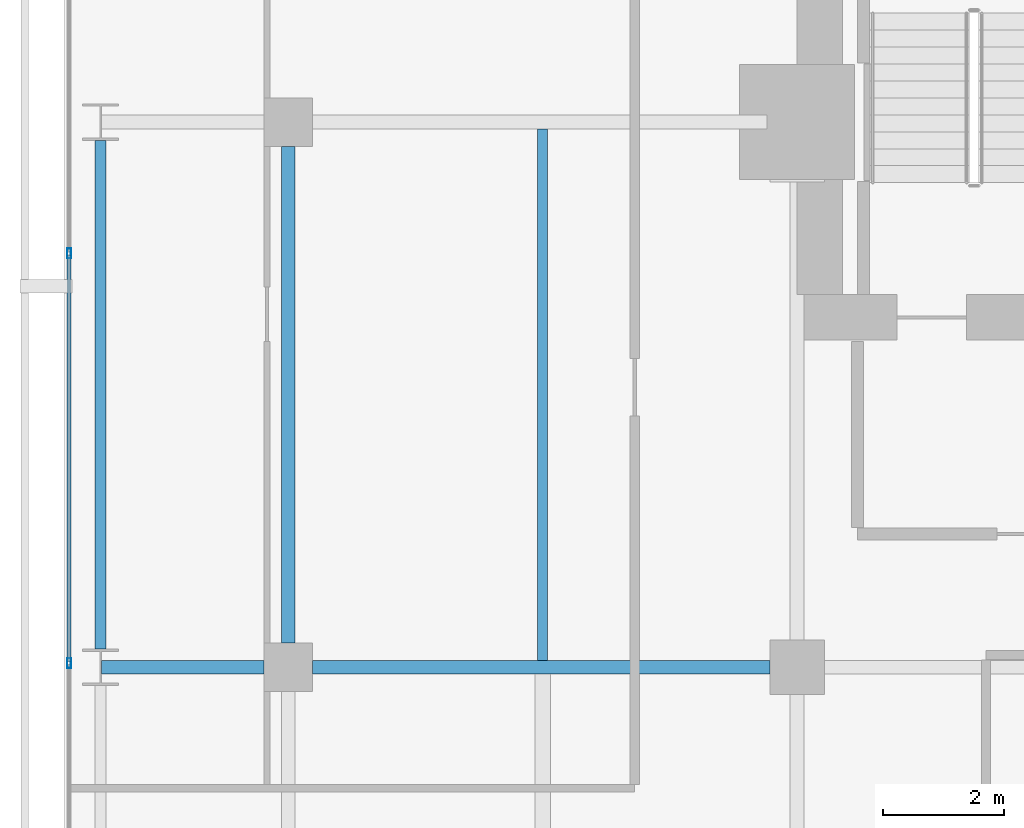
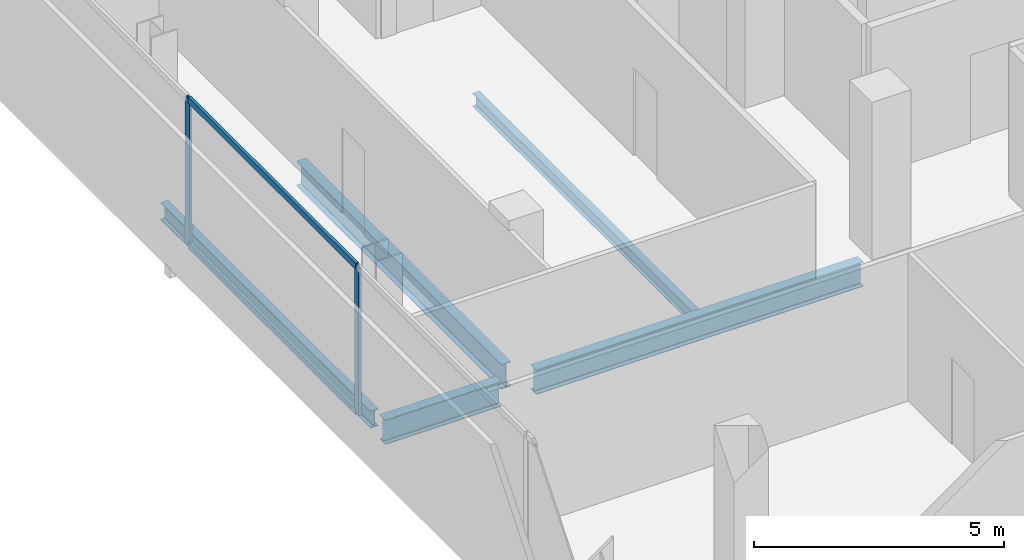
# One storey, part 18 of 32: 5 beams, 4 members, 1 element without a shape of its own.
"""IFC4 building model written with IfcOpenShell, lengths in metres."""

from ifc_helpers import new_model, si_unit, direction, frame, origin, origin_2d, place, context, subcontext, project, spatial, hollow_rectangle, i_section, extrude, material, layer, layer_set, material_profile, profile_set, type_object, element, aggregate, save


model = new_model("IFC4")

# Units and contexts
model_context = context("Model", 3, precision=1e-05, world=origin(), true_north=direction((0.0, 1.0)))
body_context = subcontext(model_context, "Body", "Model", "MODEL_VIEW")
ifc_project = project(units=[si_unit("LENGTHUNIT", "METRE"), si_unit("AREAUNIT", "SQUARE_METRE"), si_unit("VOLUMEUNIT", "CUBIC_METRE"), si_unit("PLANEANGLEUNIT", "RADIAN"), si_unit("MASSUNIT", "GRAM", prefix="KILO")], contexts=[model_context])

# Site, building, storey
site_placement = place(None, origin())
site = spatial("IfcSite", under=ifc_project, at=site_placement, CompositionType="ELEMENT")
building_placement = place(site_placement, origin())
building = spatial("IfcBuilding", under=site, at=building_placement, Name="Maruvema Waterfront Hotel and Observation Tower", CompositionType="ELEMENT")
storey_placement = place(building_placement, frame((0.0, 0.0, 165.89990234375)))
storey = spatial("IfcBuildingStorey", under=building, at=storey_placement, Name="L40", CompositionType="ELEMENT", Elevation=165.89990234375)

# Curtain wall, members
ifc_material_1 = material(Name="Anodised bronze aluminium and solar-control low-E IGU", Category="aluminium")
ifc_layer = layer(ifc_material_1, 0.159912109375, Name="Zone 2 Amber Inner Thermal Curtain Wall System CW-03")
ifc_layer_set = layer_set([ifc_layer], Name="Anodised bronze aluminium and solar-control low-E IGU")
curtain_wall_type = type_object("IfcCurtainWallType", Name="Zone 2 Amber Inner Thermal Curtain Wall System CW-03", PredefinedType="USERDEFINED", material=ifc_layer_set)
curtain_wall_placement = place(storey_placement, origin())
curtain_wall = element("IfcCurtainWall", 1, at=curtain_wall_placement, inside=storey, type_object=curtain_wall_type, Name="L40 Curtain Wall CW-L40-W", ObjectType="UNITISED CURTAIN WALL", PredefinedType="USERDEFINED")
ifc_material_2 = material(Name="Anodised architectural bronze aluminium", Category="aluminium")
ifc_material_profile_1 = material_profile(ifc_material_2, hollow_rectangle(XDim=0.070068359375, YDim=0.14990234375, WallThickness=0.00390625, at=origin_2d()), Name="ALU-T70x150")
ifc_profile_set_1 = profile_set([ifc_material_profile_1], Name="Anodised architectural bronze aluminium")
member_type_1 = type_object("IfcMemberType", Name="Curtain Wall Horizontal Transom ALU-T70x150", PredefinedType="USERDEFINED", material=ifc_profile_set_1)
member_1_placement = place(storey_placement, frame((13.179931640625, 42.80322265625, 0.030029296875), z_axis=(0.0, -1.0, 0.0), x_axis=(1.0, 0.0, 0.0)))
member_1 = element("IfcMember", 2, at=member_1_placement, type_object=member_type_1, Name="CW-03 transom 2.1", ObjectType="TRANSOM", PredefinedType="USERDEFINED", context=body_context, shape_type="SweptSolid", body=[
    extrude(hollow_rectangle(XDim=0.070068359375, YDim=0.14990234375, WallThickness=0.00390625, at=origin_2d()), origin(), (0.0, 0.0, 1.0), 6.70654296875),
])
member_2_placement = place(storey_placement, frame((13.179931640625, 42.80322265625, 3.580078125), z_axis=(0.0, -1.0, 0.0), x_axis=(1.0, 0.0, 0.0)))
member_2 = element("IfcMember", 3, at=member_2_placement, type_object=member_type_1, Name="CW-03 transom 2.2", ObjectType="TRANSOM", PredefinedType="USERDEFINED", context=body_context, shape_type="SweptSolid", body=[
    extrude(hollow_rectangle(XDim=0.070068359375, YDim=0.14990234375, WallThickness=0.00390625, at=origin_2d()), origin(), (0.0, 0.0, 1.0), 6.70654296875),
])
ifc_material_3 = material(Name="Anodised architectural bronze aluminium", Category="aluminium")
ifc_material_profile_2 = material_profile(ifc_material_3, hollow_rectangle(XDim=0.06494140625, YDim=0.1650390625, WallThickness=0.00390625, at=origin_2d()), Name="ALU-M65x165")
ifc_profile_set_2 = profile_set([ifc_material_profile_2], Name="Anodised architectural bronze aluminium")
member_type_2 = type_object("IfcMemberType", Name="Curtain Wall Primary Mullion ALU-M65x165", PredefinedType="MULLION", material=ifc_profile_set_2)
member_3_placement = place(storey_placement, frame((13.179931640625, 42.833251953125, 0.0), z_axis=(0.0, 0.0, 1.0), x_axis=(1.0, 0.0, 0.0)))
member_3 = element("IfcMember", 4, at=member_3_placement, type_object=member_type_2, Name="CW-03 mullion 2", PredefinedType="MULLION", context=body_context, shape_type="SweptSolid", body=[
    extrude(hollow_rectangle(XDim=0.06494140625, YDim=0.1650390625, WallThickness=0.00390625, at=origin_2d()), origin(), (0.0, 0.0, 1.0), 3.610107421875),
])
member_4_placement = place(storey_placement, frame((13.179931640625, 36.066650390625, 0.0), z_axis=(0.0, 0.0, 1.0), x_axis=(1.0, 0.0, 0.0)))
member_4 = element("IfcMember", 5, at=member_4_placement, type_object=member_type_2, Name="CW-03 mullion 3", PredefinedType="MULLION", context=body_context, shape_type="SweptSolid", body=[
    extrude(hollow_rectangle(XDim=0.06494140625, YDim=0.1650390625, WallThickness=0.00390625, at=origin_2d()), origin(), (0.0, 0.0, 1.0), 3.610107421875),
])
aggregate(curtain_wall, [member_3, member_4, member_1, member_2])

# Beams
ifc_material_4 = material(Name="Steel ASTM A572 Grade 50", Category="steel")
ifc_material_profile_3 = material_profile(ifc_material_4, i_section(OverallWidth=0.180908203125, OverallDepth=0.4169921875, WebThickness=0.010986328125, FlangeThickness=0.018310546875, FilletRadius=0.014892578125, at=origin_2d()), Name="W410x85.0")
ifc_profile_set_3 = profile_set([ifc_material_profile_3], Name="Steel ASTM A572 Grade 50")
beam_type_1 = type_object("IfcBeamType", Name="Perimeter Spandrel Beam W410x85.0", PredefinedType="SPANDREL", material=ifc_profile_set_3)
beam_1_placement = place(storey_placement, frame((13.699951171875, 36.300048828125, -0.448486328125), z_axis=(0.0, 1.0, 0.0), x_axis=(-1.0, 0.0, 0.0)))
element("IfcBeam", 6, at=beam_1_placement, inside=storey, type_object=beam_type_1, Name="L40 Floor Girder NS-04", PredefinedType="SPANDREL", context=body_context, shape_type="SweptSolid", body=[
    extrude(i_section(OverallWidth=0.180908203125, OverallDepth=0.4169921875, WebThickness=0.010986328125, FlangeThickness=0.018310546875, FilletRadius=0.014892578125, at=origin_2d()), origin(), (0.0, 0.0, 1.0), 8.39990234375),
])
ifc_material_5 = material(Name="Steel ASTM A572 Grade 50", Category="steel")
ifc_material_profile_4 = material_profile(ifc_material_5, i_section(OverallWidth=0.22802734375, OverallDepth=0.60302734375, WebThickness=0.010498046875, FlangeThickness=0.014892578125, FilletRadius=0.01806640625, at=origin_2d()), Name="W610x101.0")
ifc_profile_set_4 = profile_set([ifc_material_profile_4], Name="Steel ASTM A572 Grade 50")
beam_type_2 = type_object("IfcBeamType", Name="Primary Floor Girder W610x101.0", PredefinedType="BEAM", material=ifc_profile_set_4)
beam_2_placement = place(storey_placement, frame((13.71240234375, 36.0, -0.54150390625), z_axis=(1.0, 0.0, 0.0), x_axis=(0.0, 1.0, 0.0)))
element("IfcBeam", 7, at=beam_2_placement, inside=storey, type_object=beam_type_2, Name="L40 Floor Girder EW-23", PredefinedType="BEAM", context=body_context, shape_type="SweptSolid", body=[
    extrude(i_section(OverallWidth=0.22802734375, OverallDepth=0.60302734375, WebThickness=0.010498046875, FlangeThickness=0.014892578125, FilletRadius=0.01806640625, at=origin_2d()), origin(), (0.0, 0.0, 1.0), 2.6875),
])
beam_3_placement = place(storey_placement, frame((17.199951171875, 36.0, -0.54150390625), z_axis=(1.0, 0.0, 0.0), x_axis=(0.0, 1.0, 0.0)))
element("IfcBeam", 8, at=beam_3_placement, inside=storey, type_object=beam_type_2, Name="L40 Floor Girder EW-24", PredefinedType="BEAM", context=body_context, shape_type="SweptSolid", body=[
    extrude(i_section(OverallWidth=0.22802734375, OverallDepth=0.60302734375, WebThickness=0.010498046875, FlangeThickness=0.014892578125, FilletRadius=0.01806640625, at=origin_2d()), origin(), (0.0, 0.0, 1.0), 7.550048828125),
])
beam_4_placement = place(storey_placement, frame((16.800048828125, 36.39990234375, -0.54150390625), z_axis=(0.0, 1.0, 0.0), x_axis=(-1.0, 0.0, 0.0)))
element("IfcBeam", 9, at=beam_4_placement, inside=storey, type_object=beam_type_2, Name="L40 Floor Girder NS-08", PredefinedType="BEAM", context=body_context, shape_type="SweptSolid", body=[
    extrude(i_section(OverallWidth=0.22802734375, OverallDepth=0.60302734375, WebThickness=0.010498046875, FlangeThickness=0.014892578125, FilletRadius=0.01806640625, at=origin_2d()), origin(), (0.0, 0.0, 1.0), 8.2001953125),
])
ifc_material_6 = material(Name="Steel ASTM A572 Grade 50", Category="steel")
ifc_material_profile_5 = material_profile(ifc_material_6, i_section(OverallWidth=0.1669921875, OverallDepth=0.31689453125, WebThickness=0.007568359375, FlangeThickness=0.01318359375, FilletRadius=0.012939453125, at=origin_2d()), Name="W310x52.0")
ifc_profile_set_5 = profile_set([ifc_material_profile_5], Name="Steel ASTM A572 Grade 50")
beam_type_3 = type_object("IfcBeamType", Name="Secondary Floor Joist W310x52.0", PredefinedType="JOIST", material=ifc_profile_set_5)
beam_5_placement = place(storey_placement, frame((21.0, 36.114013671875, -0.3984375), z_axis=(0.0, 1.0, 0.0), x_axis=(-1.0, 0.0, 0.0)))
element("IfcBeam", 10, at=beam_5_placement, inside=storey, type_object=beam_type_3, Name="L40 Secondary Floor Joist JS-04", PredefinedType="JOIST", context=body_context, shape_type="SweptSolid", body=[
    extrude(i_section(OverallWidth=0.1669921875, OverallDepth=0.31689453125, WebThickness=0.007568359375, FlangeThickness=0.01318359375, FilletRadius=0.012939453125, at=origin_2d()), origin(), (0.0, 0.0, 1.0), 8.77197265625),
])

save(model, "model.ifc")
